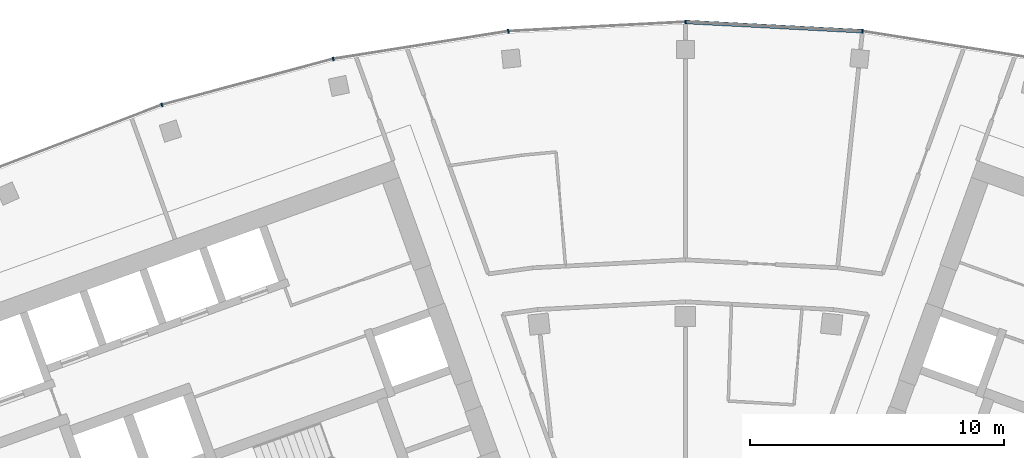
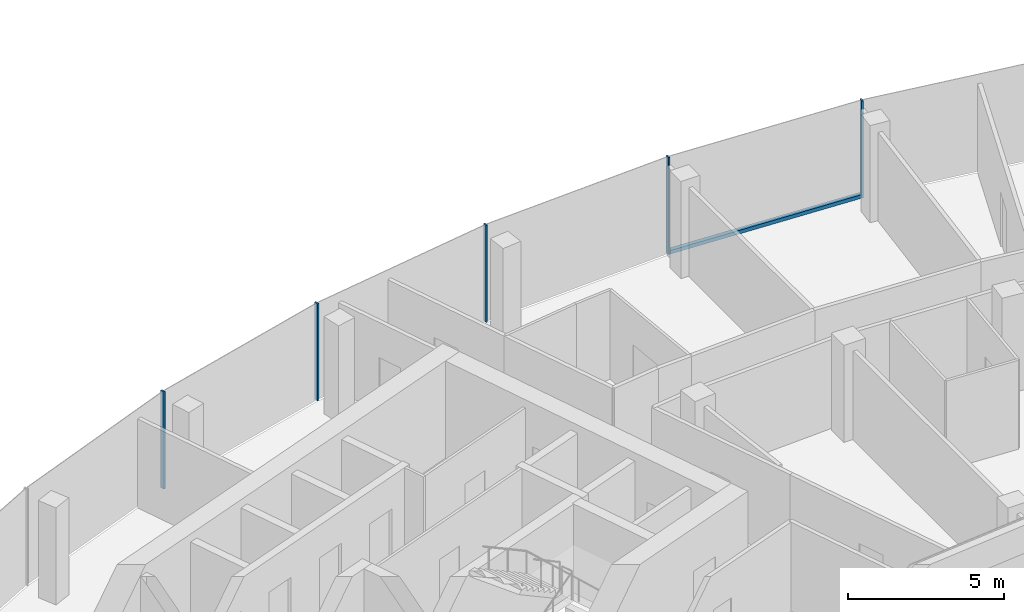
# One storey, part 6 of 18: 6 members, 1 element without a shape of its own.
"""IFC4 building model written with IfcOpenShell, lengths in metres."""

from ifc_helpers import new_model, si_unit, direction, frame, origin, origin_2d, place, context, subcontext, project, spatial, rectangle, extrude, material, layer, layer_set, material_profile, profile_set, type_object, element, aggregate, save


model = new_model("IFC4")

# Units and contexts
model_context = context("Model", 3, precision=1e-05, world=origin(), true_north=direction((0.0, 1.0)))
body_context = subcontext(model_context, "Body", "Model", "MODEL_VIEW")
ifc_project = project(units=[si_unit("LENGTHUNIT", "METRE"), si_unit("AREAUNIT", "SQUARE_METRE"), si_unit("VOLUMEUNIT", "CUBIC_METRE"), si_unit("PLANEANGLEUNIT", "RADIAN"), si_unit("MASSUNIT", "GRAM", prefix="KILO")], contexts=[model_context])

# Site, building, storey
site_placement = place(None, origin())
site = spatial("IfcSite", under=ifc_project, at=site_placement, CompositionType="ELEMENT")
building_placement = place(site_placement, origin())
building = spatial("IfcBuilding", under=site, at=building_placement, Name="Stone Belt Terrace Tower", CompositionType="ELEMENT")
storey_placement = place(building_placement, frame((0.0, 0.0, 299.800048828125)))
storey = spatial("IfcBuildingStorey", under=building, at=storey_placement, Name="L73", CompositionType="ELEMENT", Elevation=299.800048828125)

# Curtain wall, members
ifc_material = material(Name="Aluminium 6063-T6 anodised frame", Category="aluminium")
ifc_layer = layer(ifc_material, 0.14990234375)
ifc_layer_set = layer_set([ifc_layer], Name="CW-A unitised convex-face curtain wall")
curtain_wall_type = type_object("IfcCurtainWallType", Name="CW-A unitised convex-face curtain wall", PredefinedType="NOTDEFINED", material=ifc_layer_set)
curtain_wall_placement = place(storey_placement, origin())
curtain_wall = element("IfcCurtainWall", 1, at=curtain_wall_placement, inside=storey, type_object=curtain_wall_type, Name="CW-A convex face L73", PredefinedType="NOTDEFINED")
ifc_material_profile_1 = material_profile(ifc_material, rectangle(XDim=0.14990234375, YDim=0.06005859375, at=origin_2d()), Name="Aluminium 6063-T6 60x150")
ifc_profile_set_1 = profile_set([ifc_material_profile_1], Name="Aluminium 6063-T6 anodised frame")
member_type_1 = type_object("IfcMemberType", Name="CW-A mullion 60 x 150", PredefinedType="MULLION", material=ifc_profile_set_1)
member_1_placement = place(storey_placement, frame((6.958984375, 66.21044921875, 0.0), z_axis=(0.0, 0.0, 1.0), x_axis=(-0.104528463268, -0.994521895368, 0.0)))
member_1 = element("IfcMember", 2, at=member_1_placement, type_object=member_type_1, Name="CW-A mullion 7", PredefinedType="MULLION", context=body_context, shape_type="SweptSolid", body=[
    extrude(rectangle(XDim=0.14990234375, YDim=0.06005859375, at=origin_2d()), origin(), (0.0, 0.0, 1.0), 3.800048828125),
])
member_2_placement = place(storey_placement, frame((0.0, 66.5751953125, 0.0), z_axis=(0.0, 0.0, 1.0), x_axis=(0.0, -1.0, 0.0)))
member_2 = element("IfcMember", 3, at=member_2_placement, type_object=member_type_1, Name="CW-A mullion 8", PredefinedType="MULLION", context=body_context, shape_type="SweptSolid", body=[
    extrude(rectangle(XDim=0.14990234375, YDim=0.06005859375, at=origin_2d()), origin(), (0.0, 0.0, 1.0), 3.800048828125),
])
member_3_placement = place(storey_placement, frame((-6.958984375, 66.21044921875, 0.0), z_axis=(0.0, 0.0, 1.0), x_axis=(0.104528463268, -0.994521895368, 0.0)))
member_3 = element("IfcMember", 4, at=member_3_placement, type_object=member_type_1, Name="CW-A mullion 9", PredefinedType="MULLION", context=body_context, shape_type="SweptSolid", body=[
    extrude(rectangle(XDim=0.14990234375, YDim=0.06005859375, at=origin_2d()), origin(), (0.0, 0.0, 1.0), 3.800048828125),
])
member_4_placement = place(storey_placement, frame((-13.841796875, 65.120361328125, 0.0), z_axis=(0.0, 0.0, 1.0), x_axis=(0.207911690818, -0.978147600734, 0.0)))
member_4 = element("IfcMember", 5, at=member_4_placement, type_object=member_type_1, Name="CW-A mullion 10", PredefinedType="MULLION", context=body_context, shape_type="SweptSolid", body=[
    extrude(rectangle(XDim=0.14990234375, YDim=0.06005859375, at=origin_2d()), origin(), (0.0, 0.0, 1.0), 3.800048828125),
])
member_5_placement = place(storey_placement, frame((-20.57275390625, 63.316650390625, 0.0), z_axis=(0.0, 0.0, 1.0), x_axis=(0.309016994375, -0.951056516295, 0.0)))
member_5 = element("IfcMember", 6, at=member_5_placement, type_object=member_type_1, Name="CW-A mullion 11", PredefinedType="MULLION", context=body_context, shape_type="SweptSolid", body=[
    extrude(rectangle(XDim=0.14990234375, YDim=0.06005859375, at=origin_2d()), origin(), (0.0, 0.0, 1.0), 3.800048828125),
])
ifc_material_profile_2 = material_profile(ifc_material, rectangle(XDim=0.14990234375, YDim=0.139892578125, at=origin_2d()), Name="Aluminium 6063-T6 150x140")
ifc_profile_set_2 = profile_set([ifc_material_profile_2], Name="Aluminium 6063-T6 anodised frame")
member_type_2 = type_object("IfcMemberType", Name="CW-A transom 140 x 150", PredefinedType="USERDEFINED", material=ifc_profile_set_2)
member_6_placement = place(storey_placement, frame((6.925048828125, 66.212158203125, 0.070068359375), z_axis=(-0.998630019135, 0.052326712899, 0.0), x_axis=(-0.052326712899, -0.998630019135, 0.0)))
member_6 = element("IfcMember", 7, at=member_6_placement, type_object=member_type_2, Name="CW-A transom 7.1", ObjectType="TRANSOM", PredefinedType="USERDEFINED", context=body_context, shape_type="SweptSolid", body=[
    extrude(rectangle(XDim=0.14990234375, YDim=0.139892578125, at=origin_2d()), origin(), (0.0, 0.0, 1.0), 6.900634765625),
])
aggregate(curtain_wall, [member_1, member_2, member_3, member_4, member_5, member_6])

save(model, "model.ifc")
